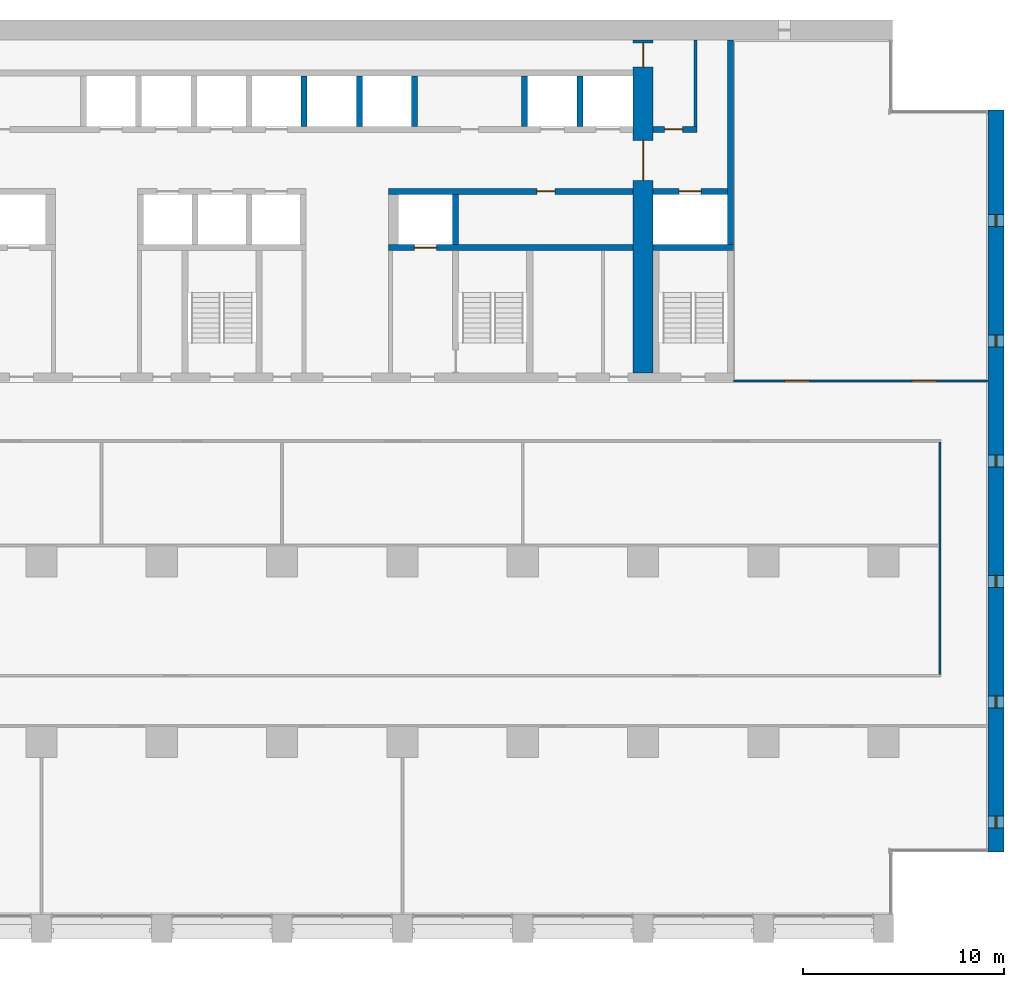
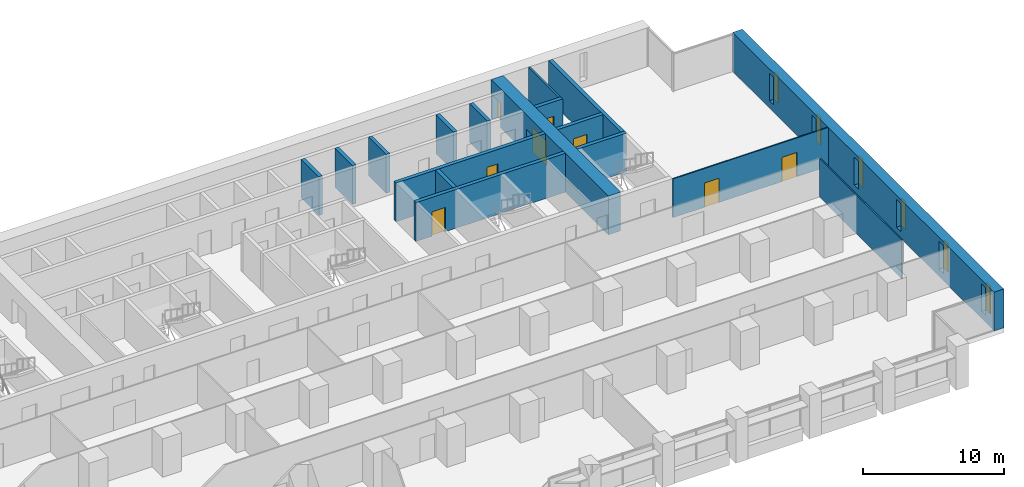
# One storey, part 13 of 17: 17 walls, 8 doors, 6 windows, 14 openings.
"""IFC4 building model written with IfcOpenShell, lengths in metres."""

from ifc_helpers import new_model, si_unit, direction, frame, frame_2d, origin, place, context, subcontext, project, spatial, rectangle, extrude, material, layer, layer_set, type_object, element, fill, save


model = new_model("IFC4")

# Units and contexts
model_context = context("Model", 3, precision=1e-05, world=origin(), true_north=direction((0.0, 1.0)))
body_context = subcontext(model_context, "Body", "Model", "MODEL_VIEW")
ifc_project = project(units=[si_unit("LENGTHUNIT", "METRE"), si_unit("AREAUNIT", "SQUARE_METRE"), si_unit("VOLUMEUNIT", "CUBIC_METRE"), si_unit("PLANEANGLEUNIT", "RADIAN"), si_unit("MASSUNIT", "GRAM", prefix="KILO")], contexts=[model_context])

# Site, building, storey
site_placement = place(None, origin())
site = spatial("IfcSite", under=ifc_project, at=site_placement, CompositionType="ELEMENT")
building_placement = place(site_placement, origin())
building = spatial("IfcBuilding", under=site, at=building_placement, Name="Calvaro Tower", CompositionType="ELEMENT")
storey_placement = place(building_placement, frame((0.0, 0.0, 75.0)))
storey = spatial("IfcBuildingStorey", under=building, at=storey_placement, Name="L18", CompositionType="ELEMENT", Elevation=75.0)

# Wall
ifc_material_1 = material(Name="Blockwork partition", Category="masonry")
ifc_layer_1 = layer(ifc_material_1, 0.14990234375)
ifc_layer_set_1 = layer_set([ifc_layer_1], Name="Blockwork partition")
wall_type_1 = type_object("IfcWallType", Name="Core partition 150 REI 120", PredefinedType="PARTITIONING", material=ifc_layer_set_1)
wall_1_placement = place(storey_placement, frame((62.625, 40.699951171875, 0.0), z_axis=(0.0, 0.0, 1.0), x_axis=(0.0, 1.0, 0.0)))
element("IfcWall", 1, at=wall_1_placement, inside=storey, type_object=wall_type_1, Name="Core partition", PredefinedType="PARTITIONING", context=body_context, shape_type="SweptSolid", body=[
    extrude(rectangle(XDim=4.300048828125, YDim=0.14990234375, at=frame_2d((2.14990234375, 0.0))), origin(), (0.0, 0.0, 1.0), 3.35009765625),
])

# Wall, opening, door
ifc_material_2 = material(Name="Blockwork partition", Category="masonry")
ifc_layer_2 = layer(ifc_material_2, 0.300048828125)
ifc_layer_set_2 = layer_set([ifc_layer_2], Name="Blockwork partition")
wall_type_2 = type_object("IfcWallType", Name="Core partition 300 REI 120", PredefinedType="PARTITIONING", material=ifc_layer_set_2)
wall_2_placement = place(storey_placement, frame((60.5, 40.550048828125, 0.0), z_axis=(0.0, 0.0, 1.0), x_axis=(1.0, 0.0, 0.0)))
wall_2 = element("IfcWall", 2, at=wall_2_placement, inside=storey, type_object=wall_type_2, Name="Core partition", PredefinedType="PARTITIONING", context=body_context, shape_type="SweptSolid", body=[
    extrude(rectangle(XDim=2.199951171875, YDim=0.300048828125, at=frame_2d((1.10009765625, 0.0))), origin(), (0.0, 0.0, 1.0), 3.35009765625),
])
opening_1_placement = place(wall_2_placement, frame((0.574951171875, 0.0, 0.0)))
opening_1 = element("IfcOpeningElement", 3, at=opening_1_placement, cuts=wall_2, Name="Opening RD9E", PredefinedType="OPENING", context=body_context, shape_type="SweptSolid", body=[
    extrude(rectangle(XDim=0.89990234375, YDim=2.10009765625, at=frame_2d((0.449951171875, 1.050048828125))), frame((0.0, 0.159912109375, 0.0), z_axis=(0.0, -1.0, 0.0), x_axis=(1.0, 0.0, 0.0)), (0.0, 0.0, 1.0), 0.320068359375),
])
ifc_material_3 = material(Name="Steel door set", Category="steel")
door_type_1 = type_object("IfcDoorType", Name="Room door 900 FD60", OperationType="SINGLE_SWING_LEFT", PredefinedType="DOOR", material=ifc_material_3)
door_1_placement = place(opening_1_placement, origin())
door_1 = element("IfcDoor", 4, at=door_1_placement, inside=storey, type_object=door_type_1, Name="Room door", OperationType="SINGLE_SWING_LEFT", OverallHeight=2.10009765625, OverallWidth=0.89990234375, PredefinedType="DOOR", context=body_context, shape_type="SweptSolid", body=[
    extrude(rectangle(XDim=0.89990234375, YDim=2.10009765625, at=frame_2d((0.449951171875, 1.050048828125))), frame((0.0, 0.02490234375, 0.0), z_axis=(0.0, -1.0, 0.0), x_axis=(1.0, 0.0, 0.0)), (0.0, 0.0, 1.0), 0.050048828125),
])
fill(opening_1, door_1)

# Wall, openings, doors
ifc_material_4 = material(Name="Concrete C80/95", Category="concrete")
ifc_layer_3 = layer(ifc_material_4, 1.0)
ifc_layer_set_3 = layer_set([ifc_layer_3], Name="Concrete C80/95")
wall_type_3 = type_object("IfcWallType", Name="Core wall C80/95 1000", PredefinedType="SHEAR", material=ifc_layer_set_3)
wall_3_placement = place(storey_placement, frame((60.0, 28.39990234375, 0.0), z_axis=(0.0, 0.0, 1.0), x_axis=(0.0, 1.0, 0.0)))
wall_3 = element("IfcWall", 5, at=wall_3_placement, inside=storey, type_object=wall_type_3, Name="Core wall, cross shear wall", PredefinedType="SHEAR", context=body_context, shape_type="SweptSolid", body=[
    extrude(rectangle(XDim=16.60009765625, YDim=1.0, at=frame_2d((8.300048828125, 0.0))), origin(), (0.0, 0.0, 1.0), 3.35009765625),
])
opening_2_placement = place(wall_3_placement, frame((9.60009765625, 0.0, 0.0)))
opening_2 = element("IfcOpeningElement", 6, at=opening_2_placement, cuts=wall_3, Name="Opening DD20D", PredefinedType="OPENING", context=body_context, shape_type="SweptSolid", body=[
    extrude(rectangle(XDim=2.0, YDim=2.10009765625, at=frame_2d((1.0, 1.050048828125))), frame((0.0, 0.510009765625, 0.0), z_axis=(0.0, -1.0, 0.0), x_axis=(1.0, 0.0, 0.0)), (0.0, 0.0, 1.0), 1.02001953125),
])
opening_3_placement = place(wall_3_placement, frame((15.25, 0.0, 0.0)))
opening_3 = element("IfcOpeningElement", 7, at=opening_3_placement, cuts=wall_3, Name="Opening FD12C", PredefinedType="OPENING", context=body_context, shape_type="SweptSolid", body=[
    extrude(rectangle(XDim=1.199951171875, YDim=2.10009765625, at=frame_2d((0.60009765625, 1.050048828125))), frame((0.0, 0.510009765625, 0.0), z_axis=(0.0, -1.0, 0.0), x_axis=(1.0, 0.0, 0.0)), (0.0, 0.0, 1.0), 1.02001953125),
])
ifc_material_5 = material(Name="Steel door set", Category="steel")
door_type_2 = type_object("IfcDoorType", Name="Fire door 1200 FD30", OperationType="SINGLE_SWING_LEFT", PredefinedType="DOOR", material=ifc_material_5)
door_2_placement = place(opening_3_placement, origin())
door_2 = element("IfcDoor", 8, at=door_2_placement, inside=storey, type_object=door_type_2, Name="Fire door", OperationType="SINGLE_SWING_LEFT", OverallHeight=2.10009765625, OverallWidth=1.199951171875, PredefinedType="DOOR", context=body_context, shape_type="SweptSolid", body=[
    extrude(rectangle(XDim=1.199951171875, YDim=2.10009765625, at=frame_2d((0.60009765625, 1.050048828125))), frame((0.0, 0.02490234375, 0.0), z_axis=(0.0, -1.0, 0.0), x_axis=(1.0, 0.0, 0.0)), (0.0, 0.0, 1.0), 0.050048828125),
])
fill(opening_3, door_2)
ifc_material_6 = material(Name="Steel door set", Category="steel")
door_type_3 = type_object("IfcDoorType", Name="Lobby double door 2000 FD30S", OperationType="DOUBLE_DOOR_SINGLE_SWING", PredefinedType="DOOR", material=ifc_material_6)
door_3_placement = place(opening_2_placement, origin())
door_3 = element("IfcDoor", 9, at=door_3_placement, inside=storey, type_object=door_type_3, Name="Lobby double door", OperationType="DOUBLE_DOOR_SINGLE_SWING", OverallHeight=2.10009765625, OverallWidth=2.0, PredefinedType="DOOR", context=body_context, shape_type="SweptSolid", body=[
    extrude(rectangle(XDim=2.0, YDim=2.10009765625, at=frame_2d((1.0, 1.050048828125))), frame((0.0, 0.02490234375, 0.0), z_axis=(0.0, -1.0, 0.0), x_axis=(1.0, 0.0, 0.0)), (0.0, 0.0, 1.0), 0.050048828125),
])
fill(opening_2, door_3)

# Wall
ifc_material_7 = material(Name="Concrete C80/95", Category="concrete")
ifc_layer_4 = layer(ifc_material_7, 0.300048828125)
ifc_layer_set_4 = layer_set([ifc_layer_4], Name="Concrete C80/95")
wall_type_4 = type_object("IfcWallType", Name="Core wall C80/95 300", PredefinedType="SHEAR", material=ifc_layer_set_4)
wall_4_placement = place(storey_placement, frame((64.35009765625, 34.800048828125, 0.0), z_axis=(0.0, 0.0, 1.0), x_axis=(0.0, 1.0, 0.0)))
element("IfcWall", 10, at=wall_4_placement, inside=storey, type_object=wall_type_4, Name="Core wall, boundary", PredefinedType="SHEAR", context=body_context, shape_type="SweptSolid", body=[
    extrude(rectangle(XDim=10.199951171875, YDim=0.300048828125, at=frame_2d((5.10009765625, 0.0))), origin(), (0.0, 0.0, 1.0), 3.35009765625),
])

# Wall, opening, door
wall_5_placement = place(storey_placement, frame((47.300048828125, 34.64990234375, 0.0), z_axis=(0.0, 0.0, 1.0), x_axis=(1.0, 0.0, 0.0)))
wall_5 = element("IfcWall", 11, at=wall_5_placement, inside=storey, type_object=wall_type_4, Name="Core wall, lift shaft", PredefinedType="SHEAR", context=body_context, shape_type="SweptSolid", body=[
    extrude(rectangle(XDim=12.199951171875, YDim=0.300048828125, at=frame_2d((6.10009765625, 0.0))), origin(), (0.0, 0.0, 1.0), 3.35009765625),
])
opening_4_placement = place(wall_5_placement, frame((1.300048828125, 0.0, 0.0)))
opening_4 = element("IfcOpeningElement", 12, at=opening_4_placement, cuts=wall_5, Name="Opening FF2", PredefinedType="OPENING", context=body_context, shape_type="SweptSolid", body=[
    extrude(rectangle(XDim=1.10009765625, YDim=2.10009765625, at=frame_2d((0.550048828125, 1.050048828125))), frame((0.0, 0.159912109375, 0.0), z_axis=(0.0, -1.0, 0.0), x_axis=(1.0, 0.0, 0.0)), (0.0, 0.0, 1.0), 0.320068359375),
])
ifc_material_8 = material(Name="Stainless steel", Category="steel")
door_type_4 = type_object("IfcDoorType", Name="Landing door 1100 E 60", OperationType="SLIDING_TO_LEFT", PredefinedType="DOOR", material=ifc_material_8)
door_4_placement = place(opening_4_placement, origin())
door_4 = element("IfcDoor", 13, at=door_4_placement, inside=storey, type_object=door_type_4, Name="Landing door FF2", OperationType="SLIDING_TO_LEFT", OverallHeight=2.10009765625, OverallWidth=1.10009765625, PredefinedType="DOOR", context=body_context, shape_type="SweptSolid", body=[
    extrude(rectangle(XDim=1.10009765625, YDim=2.10009765625, at=frame_2d((0.550048828125, 1.050048828125))), frame((0.0, 0.02490234375, 0.0), z_axis=(0.0, -1.0, 0.0), x_axis=(1.0, 0.0, 0.0)), (0.0, 0.0, 1.0), 0.050048828125),
])
fill(opening_4, door_4)

# Wall
wall_6_placement = place(storey_placement, frame((60.5, 34.64990234375, 0.0), z_axis=(0.0, 0.0, 1.0), x_axis=(1.0, 0.0, 0.0)))
element("IfcWall", 14, at=wall_6_placement, inside=storey, type_object=wall_type_4, Name="Core wall, lift shaft", PredefinedType="SHEAR", context=body_context, shape_type="SweptSolid", body=[
    extrude(rectangle(XDim=4.0, YDim=0.300048828125, at=frame_2d((2.0, 0.0))), origin(), (0.0, 0.0, 1.0), 3.35009765625),
])

# Wall, opening, door
wall_7_placement = place(storey_placement, frame((59.5, 37.449951171875, 0.0), z_axis=(0.0, 0.0, 1.0), x_axis=(-1.0, 0.0, 0.0)))
wall_7 = element("IfcWall", 15, at=wall_7_placement, inside=storey, type_object=wall_type_4, Name="Core wall, bay", PredefinedType="SHEAR", context=body_context, shape_type="SweptSolid", body=[
    extrude(rectangle(XDim=12.199951171875, YDim=0.300048828125, at=frame_2d((6.10009765625, 0.0))), origin(), (0.0, 0.0, 1.0), 3.35009765625),
])
opening_5_placement = place(wall_7_placement, frame((3.89990234375, 0.0, 0.0)))
opening_5 = element("IfcOpeningElement", 16, at=opening_5_placement, cuts=wall_7, Name="Opening RD9C", PredefinedType="OPENING", context=body_context, shape_type="SweptSolid", body=[
    extrude(rectangle(XDim=0.89990234375, YDim=2.10009765625, at=frame_2d((0.449951171875, 1.050048828125))), frame((0.0, 0.159912109375, 0.0), z_axis=(0.0, -1.0, 0.0), x_axis=(1.0, 0.0, 0.0)), (0.0, 0.0, 1.0), 0.320068359375),
])
ifc_material_9 = material(Name="Steel door set", Category="steel")
door_type_5 = type_object("IfcDoorType", Name="Room door 900 FD30", OperationType="SINGLE_SWING_LEFT", PredefinedType="DOOR", material=ifc_material_9)
door_5_placement = place(opening_5_placement, origin())
door_5 = element("IfcDoor", 17, at=door_5_placement, inside=storey, type_object=door_type_5, Name="Room door", OperationType="SINGLE_SWING_RIGHT", OverallHeight=2.10009765625, OverallWidth=0.89990234375, PredefinedType="DOOR", context=body_context, shape_type="SweptSolid", body=[
    extrude(rectangle(XDim=0.89990234375, YDim=2.10009765625, at=frame_2d((0.449951171875, 1.050048828125))), frame((0.0, 0.02490234375, 0.0), z_axis=(0.0, -1.0, 0.0), x_axis=(1.0, 0.0, 0.0)), (0.0, 0.0, 1.0), 0.050048828125),
])
fill(opening_5, door_5)

wall_8_placement = place(storey_placement, frame((60.5, 37.449951171875, 0.0), z_axis=(0.0, 0.0, 1.0), x_axis=(1.0, 0.0, 0.0)))
wall_8 = element("IfcWall", 18, at=wall_8_placement, inside=storey, type_object=wall_type_4, Name="Core wall, lift shaft", PredefinedType="SHEAR", context=body_context, shape_type="SweptSolid", body=[
    extrude(rectangle(XDim=3.699951171875, YDim=0.300048828125, at=frame_2d((1.85009765625, 0.0))), origin(), (0.0, 0.0, 1.0), 3.35009765625),
])
opening_6_placement = place(wall_8_placement, frame((1.300048828125, 0.0, 0.0)))
opening_6 = element("IfcOpeningElement", 19, at=opening_6_placement, cuts=wall_8, Name="Opening FF3", PredefinedType="OPENING", context=body_context, shape_type="SweptSolid", body=[
    extrude(rectangle(XDim=1.10009765625, YDim=2.10009765625, at=frame_2d((0.550048828125, 1.050048828125))), frame((0.0, 0.159912109375, 0.0), z_axis=(0.0, -1.0, 0.0), x_axis=(1.0, 0.0, 0.0)), (0.0, 0.0, 1.0), 0.320068359375),
])
door_6_placement = place(opening_6_placement, origin())
door_6 = element("IfcDoor", 20, at=door_6_placement, inside=storey, type_object=door_type_4, Name="Landing door FF3", OperationType="SLIDING_TO_LEFT", OverallHeight=2.10009765625, OverallWidth=1.10009765625, PredefinedType="DOOR", context=body_context, shape_type="SweptSolid", body=[
    extrude(rectangle(XDim=1.10009765625, YDim=2.10009765625, at=frame_2d((0.550048828125, 1.050048828125))), frame((0.0, 0.02490234375, 0.0), z_axis=(0.0, -1.0, 0.0), x_axis=(1.0, 0.0, 0.0)), (0.0, 0.0, 1.0), 0.050048828125),
])
fill(opening_6, door_6)

# Walls
for number, where, z_axis, x_axis, name in (
    (21, (50.64990234375, 34.800048828125, 0.0), (0.0, 0.0, 1.0), (0.0, 1.0, 0.0), "Core wall, lift shaft"),
    (22, (43.10009765625, 40.699951171875, 0.0), (0.0, 0.0, 1.0), (0.0, 1.0, 0.0), "Core wall, lift shaft"),
    (23, (45.85009765625, 40.699951171875, 0.0), (0.0, 0.0, 1.0), (0.0, 1.0, 0.0), "Core wall, lift shaft"),
    (24, (48.60009765625, 40.699951171875, 0.0), (0.0, 0.0, 1.0), (0.0, 1.0, 0.0), "Core wall, lift shaft"),
    (25, (54.10009765625, 40.699951171875, 0.0), (0.0, 0.0, 1.0), (0.0, 1.0, 0.0), "Core wall, lift shaft"),
    (26, (56.85009765625, 40.699951171875, 0.0), (0.0, 0.0, 1.0), (0.0, 1.0, 0.0), "Core wall, lift shaft"),
):
    element("IfcWall", number, at=place(storey_placement, frame(where, z_axis=z_axis, x_axis=x_axis)), inside=storey, type_object=wall_type_4, Name=name, PredefinedType="SHEAR", context=body_context, shape_type="SweptSolid", body=[
        extrude(rectangle(XDim=2.5, YDim=0.300048828125, at=frame_2d((1.25, 0.0))), origin(), (0.0, 0.0, 1.0), 3.35009765625),
    ])

# Wall, openings, windows
ifc_material_10 = material(Name="Concrete C80/95", Category="concrete")
ifc_layer_5 = layer(ifc_material_10, 0.800048828125)
ifc_layer_set_5 = layer_set([ifc_layer_5], Name="Concrete C80/95")
wall_type_5 = type_object("IfcWallType", Name="End wall 800 C80/95", PredefinedType="SHEAR", material=ifc_layer_set_5)
wall_9_placement = place(storey_placement, frame((77.60009765625, 4.5, 0.0), z_axis=(0.0, 0.0, 1.0), x_axis=(0.0, 1.0, 0.0)))
wall_9 = element("IfcWall", 27, at=wall_9_placement, inside=storey, type_object=wall_type_5, Name="End shear wall", PredefinedType="SHEAR", context=body_context, shape_type="SweptSolid", body=[
    extrude(rectangle(XDim=37.0, YDim=0.800048828125, at=frame_2d((18.5, 0.0))), origin(), (0.0, 0.0, 1.0), 3.35009765625),
])
opening_7_placement = place(wall_9_placement, frame((1.199951171875, 0.0, 0.60009765625)))
opening_7 = element("IfcOpeningElement", 28, at=opening_7_placement, cuts=wall_9, Name="Opening WE01", PredefinedType="OPENING", context=body_context, shape_type="SweptSolid", body=[
    extrude(rectangle(XDim=0.60009765625, YDim=2.39990234375, at=frame_2d((0.300048828125, 1.199951171875))), frame((0.0, 0.409912109375, 0.0), z_axis=(0.0, -1.0, 0.0), x_axis=(1.0, 0.0, 0.0)), (0.0, 0.0, 1.0), 0.820068359375),
])
opening_8_placement = place(wall_9_placement, frame((7.199951171875, 0.0, 0.60009765625)))
opening_8 = element("IfcOpeningElement", 29, at=opening_8_placement, cuts=wall_9, Name="Opening WE02", PredefinedType="OPENING", context=body_context, shape_type="SweptSolid", body=[
    extrude(rectangle(XDim=0.60009765625, YDim=2.39990234375, at=frame_2d((0.300048828125, 1.199951171875))), frame((0.0, 0.409912109375, 0.0), z_axis=(0.0, -1.0, 0.0), x_axis=(1.0, 0.0, 0.0)), (0.0, 0.0, 1.0), 0.820068359375),
])
opening_9_placement = place(wall_9_placement, frame((13.199951171875, 0.0, 0.60009765625)))
opening_9 = element("IfcOpeningElement", 30, at=opening_9_placement, cuts=wall_9, Name="Opening WE03", PredefinedType="OPENING", context=body_context, shape_type="SweptSolid", body=[
    extrude(rectangle(XDim=0.60009765625, YDim=2.39990234375, at=frame_2d((0.300048828125, 1.199951171875))), frame((0.0, 0.409912109375, 0.0), z_axis=(0.0, -1.0, 0.0), x_axis=(1.0, 0.0, 0.0)), (0.0, 0.0, 1.0), 0.820068359375),
])
opening_10_placement = place(wall_9_placement, frame((19.199951171875, 0.0, 0.60009765625)))
opening_10 = element("IfcOpeningElement", 31, at=opening_10_placement, cuts=wall_9, Name="Opening WE04", PredefinedType="OPENING", context=body_context, shape_type="SweptSolid", body=[
    extrude(rectangle(XDim=0.60009765625, YDim=2.39990234375, at=frame_2d((0.300048828125, 1.199951171875))), frame((0.0, 0.409912109375, 0.0), z_axis=(0.0, -1.0, 0.0), x_axis=(1.0, 0.0, 0.0)), (0.0, 0.0, 1.0), 0.820068359375),
])
opening_11_placement = place(wall_9_placement, frame((25.199951171875, 0.0, 0.60009765625)))
opening_11 = element("IfcOpeningElement", 32, at=opening_11_placement, cuts=wall_9, Name="Opening WE05", PredefinedType="OPENING", context=body_context, shape_type="SweptSolid", body=[
    extrude(rectangle(XDim=0.60009765625, YDim=2.39990234375, at=frame_2d((0.300048828125, 1.199951171875))), frame((0.0, 0.409912109375, 0.0), z_axis=(0.0, -1.0, 0.0), x_axis=(1.0, 0.0, 0.0)), (0.0, 0.0, 1.0), 0.820068359375),
])
opening_12_placement = place(wall_9_placement, frame((31.199951171875, 0.0, 0.60009765625)))
opening_12 = element("IfcOpeningElement", 33, at=opening_12_placement, cuts=wall_9, Name="Opening WE06", PredefinedType="OPENING", context=body_context, shape_type="SweptSolid", body=[
    extrude(rectangle(XDim=0.60009765625, YDim=2.39990234375, at=frame_2d((0.300048828125, 1.199951171875))), frame((0.0, 0.409912109375, 0.0), z_axis=(0.0, -1.0, 0.0), x_axis=(1.0, 0.0, 0.0)), (0.0, 0.0, 1.0), 0.820068359375),
])
ifc_material_11 = material(Name="Glass", Category="glass")
window_type = type_object("IfcWindowType", Name="Slit window 600 x 2400", PartitioningType="SINGLE_PANEL", PredefinedType="WINDOW", material=ifc_material_11)
window_1_placement = place(opening_7_placement, origin())
window_1 = element("IfcWindow", 34, at=window_1_placement, inside=storey, type_object=window_type, Name="Window WE01", OverallHeight=2.39990234375, OverallWidth=0.60009765625, PartitioningType="SINGLE_PANEL", PredefinedType="WINDOW", context=body_context, shape_type="SweptSolid", body=[
    extrude(rectangle(XDim=0.60009765625, YDim=2.39990234375, at=frame_2d((0.300048828125, 1.199951171875))), frame((0.0, 0.030029296875, 0.0), z_axis=(0.0, -1.0, 0.0), x_axis=(1.0, 0.0, 0.0)), (0.0, 0.0, 1.0), 0.06005859375),
])
fill(opening_7, window_1)
window_2_placement = place(opening_8_placement, origin())
window_2 = element("IfcWindow", 35, at=window_2_placement, inside=storey, type_object=window_type, Name="Window WE02", OverallHeight=2.39990234375, OverallWidth=0.60009765625, PartitioningType="SINGLE_PANEL", PredefinedType="WINDOW", context=body_context, shape_type="SweptSolid", body=[
    extrude(rectangle(XDim=0.60009765625, YDim=2.39990234375, at=frame_2d((0.300048828125, 1.199951171875))), frame((0.0, 0.030029296875, 0.0), z_axis=(0.0, -1.0, 0.0), x_axis=(1.0, 0.0, 0.0)), (0.0, 0.0, 1.0), 0.06005859375),
])
fill(opening_8, window_2)
window_3_placement = place(opening_9_placement, origin())
window_3 = element("IfcWindow", 36, at=window_3_placement, inside=storey, type_object=window_type, Name="Window WE03", OverallHeight=2.39990234375, OverallWidth=0.60009765625, PartitioningType="SINGLE_PANEL", PredefinedType="WINDOW", context=body_context, shape_type="SweptSolid", body=[
    extrude(rectangle(XDim=0.60009765625, YDim=2.39990234375, at=frame_2d((0.300048828125, 1.199951171875))), frame((0.0, 0.030029296875, 0.0), z_axis=(0.0, -1.0, 0.0), x_axis=(1.0, 0.0, 0.0)), (0.0, 0.0, 1.0), 0.06005859375),
])
fill(opening_9, window_3)
window_4_placement = place(opening_10_placement, origin())
window_4 = element("IfcWindow", 37, at=window_4_placement, inside=storey, type_object=window_type, Name="Window WE04", OverallHeight=2.39990234375, OverallWidth=0.60009765625, PartitioningType="SINGLE_PANEL", PredefinedType="WINDOW", context=body_context, shape_type="SweptSolid", body=[
    extrude(rectangle(XDim=0.60009765625, YDim=2.39990234375, at=frame_2d((0.300048828125, 1.199951171875))), frame((0.0, 0.030029296875, 0.0), z_axis=(0.0, -1.0, 0.0), x_axis=(1.0, 0.0, 0.0)), (0.0, 0.0, 1.0), 0.06005859375),
])
fill(opening_10, window_4)
window_5_placement = place(opening_11_placement, origin())
window_5 = element("IfcWindow", 38, at=window_5_placement, inside=storey, type_object=window_type, Name="Window WE05", OverallHeight=2.39990234375, OverallWidth=0.60009765625, PartitioningType="SINGLE_PANEL", PredefinedType="WINDOW", context=body_context, shape_type="SweptSolid", body=[
    extrude(rectangle(XDim=0.60009765625, YDim=2.39990234375, at=frame_2d((0.300048828125, 1.199951171875))), frame((0.0, 0.030029296875, 0.0), z_axis=(0.0, -1.0, 0.0), x_axis=(1.0, 0.0, 0.0)), (0.0, 0.0, 1.0), 0.06005859375),
])
fill(opening_11, window_5)
window_6_placement = place(opening_12_placement, origin())
window_6 = element("IfcWindow", 39, at=window_6_placement, inside=storey, type_object=window_type, Name="Window WE06", OverallHeight=2.39990234375, OverallWidth=0.60009765625, PartitioningType="SINGLE_PANEL", PredefinedType="WINDOW", context=body_context, shape_type="SweptSolid", body=[
    extrude(rectangle(XDim=0.60009765625, YDim=2.39990234375, at=frame_2d((0.300048828125, 1.199951171875))), frame((0.0, 0.030029296875, 0.0), z_axis=(0.0, -1.0, 0.0), x_axis=(1.0, 0.0, 0.0)), (0.0, 0.0, 1.0), 0.06005859375),
])
fill(opening_12, window_6)

# Wall, openings, doors
ifc_material_12 = material(Name="Plasterboard on steel studs", Category="steel")
ifc_layer_6 = layer(ifc_material_12, 0.10009765625)
ifc_layer_set_6 = layer_set([ifc_layer_6], Name="Plasterboard on steel studs")
wall_type_6 = type_object("IfcWallType", Name="Partition 100", PredefinedType="PARTITIONING", material=ifc_layer_set_6)
wall_10_placement = place(storey_placement, frame((64.5, 28.0, 0.0), z_axis=(0.0, 0.0, 1.0), x_axis=(1.0, 0.0, 0.0)))
wall_10 = element("IfcWall", 40, at=wall_10_placement, inside=storey, type_object=wall_type_6, Name="Partition T13.W006", PredefinedType="PARTITIONING", context=body_context, shape_type="SweptSolid", body=[
    extrude(rectangle(XDim=12.699951171875, YDim=0.10009765625, at=frame_2d((6.35009765625, 0.0))), origin(), (0.0, 0.0, 1.0), 3.35009765625),
])
opening_13_placement = place(wall_10_placement, frame((2.574951171875, 0.0, 0.0)))
opening_13 = element("IfcOpeningElement", 41, at=opening_13_placement, cuts=wall_10, Name="Opening T13.017", PredefinedType="OPENING", context=body_context, shape_type="SweptSolid", body=[
    extrude(rectangle(XDim=1.199951171875, YDim=2.10009765625, at=frame_2d((0.60009765625, 1.050048828125))), frame((0.0, 0.06005859375, 0.0), z_axis=(0.0, -1.0, 0.0), x_axis=(1.0, 0.0, 0.0)), (0.0, 0.0, 1.0), 0.1201171875),
])
opening_14_placement = place(wall_10_placement, frame((8.925048828125, 0.0, 0.0)))
opening_14 = element("IfcOpeningElement", 42, at=opening_14_placement, cuts=wall_10, Name="Opening T13.018", PredefinedType="OPENING", context=body_context, shape_type="SweptSolid", body=[
    extrude(rectangle(XDim=1.199951171875, YDim=2.10009765625, at=frame_2d((0.60009765625, 1.050048828125))), frame((0.0, 0.06005859375, 0.0), z_axis=(0.0, -1.0, 0.0), x_axis=(1.0, 0.0, 0.0)), (0.0, 0.0, 1.0), 0.1201171875),
])
ifc_material_13 = material(Name="Timber", Category="wood")
door_type_6 = type_object("IfcDoorType", Name="Internal single door 1200 x 2100", OperationType="SINGLE_SWING_LEFT", PredefinedType="DOOR", material=ifc_material_13)
door_7_placement = place(opening_13_placement, origin())
door_7 = element("IfcDoor", 43, at=door_7_placement, inside=storey, type_object=door_type_6, Name="Door T13.017", OperationType="SINGLE_SWING_LEFT", OverallHeight=2.10009765625, OverallWidth=1.199951171875, PredefinedType="DOOR", context=body_context, shape_type="SweptSolid", body=[
    extrude(rectangle(XDim=1.199951171875, YDim=2.10009765625, at=frame_2d((0.60009765625, 1.050048828125))), frame((0.0, 0.02490234375, 0.0), z_axis=(0.0, -1.0, 0.0), x_axis=(1.0, 0.0, 0.0)), (0.0, 0.0, 1.0), 0.050048828125),
])
fill(opening_13, door_7)
door_8_placement = place(opening_14_placement, origin())
door_8 = element("IfcDoor", 44, at=door_8_placement, inside=storey, type_object=door_type_6, Name="Door T13.018", OperationType="SINGLE_SWING_RIGHT", OverallHeight=2.10009765625, OverallWidth=1.199951171875, PredefinedType="DOOR", context=body_context, shape_type="SweptSolid", body=[
    extrude(rectangle(XDim=1.199951171875, YDim=2.10009765625, at=frame_2d((0.60009765625, 1.050048828125))), frame((0.0, 0.02490234375, 0.0), z_axis=(0.0, -1.0, 0.0), x_axis=(1.0, 0.0, 0.0)), (0.0, 0.0, 1.0), 0.050048828125),
])
fill(opening_14, door_8)

# Wall
wall_11_placement = place(storey_placement, frame((74.800048828125, 13.35009765625, 0.0), z_axis=(0.0, 0.0, 1.0), x_axis=(0.0, 1.0, 0.0)))
element("IfcWall", 45, at=wall_11_placement, inside=storey, type_object=wall_type_6, Name="Partition T13.W016", PredefinedType="PARTITIONING", context=body_context, shape_type="SweptSolid", body=[
    extrude(rectangle(XDim=11.599853515625, YDim=0.10009765625, at=frame_2d((5.7998046875, 0.0))), origin(), (0.0, 0.0, 1.0), 3.35009765625),
])

save(model, "model.ifc")
